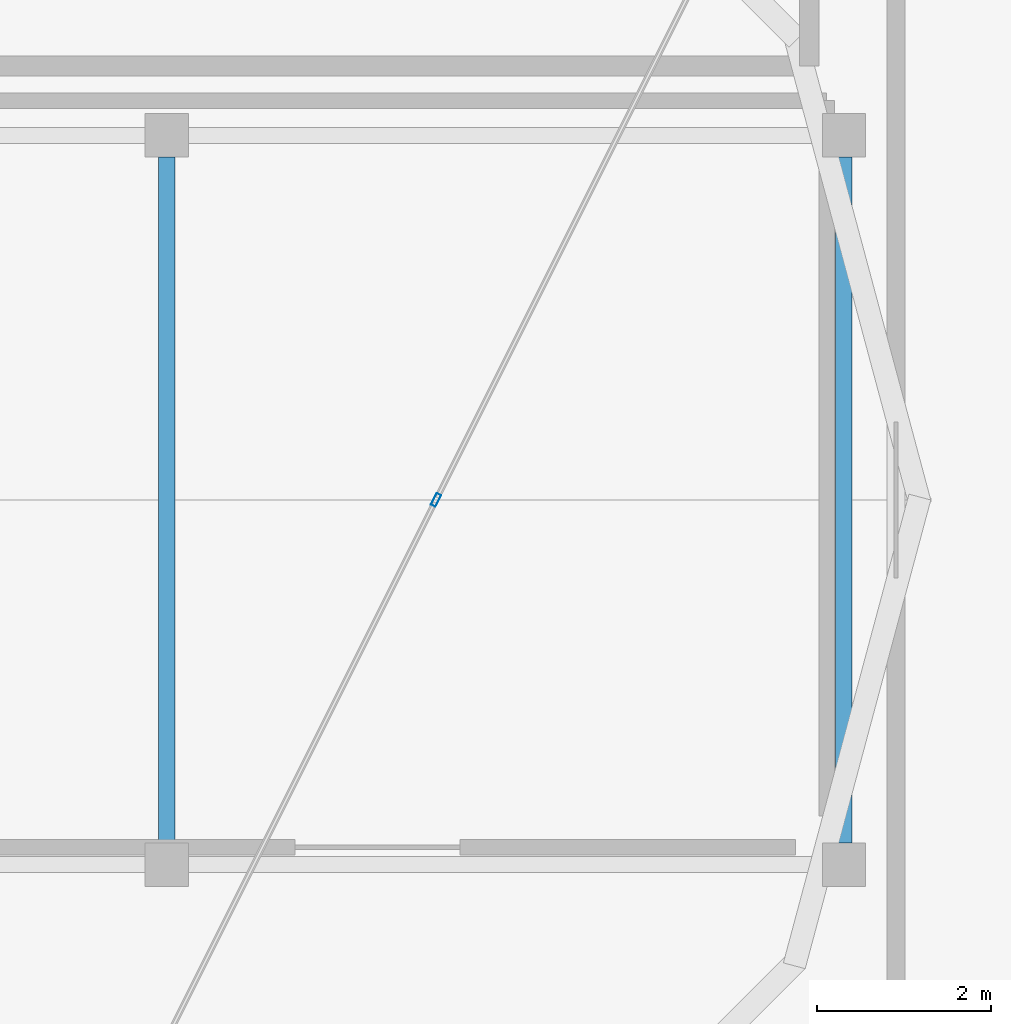
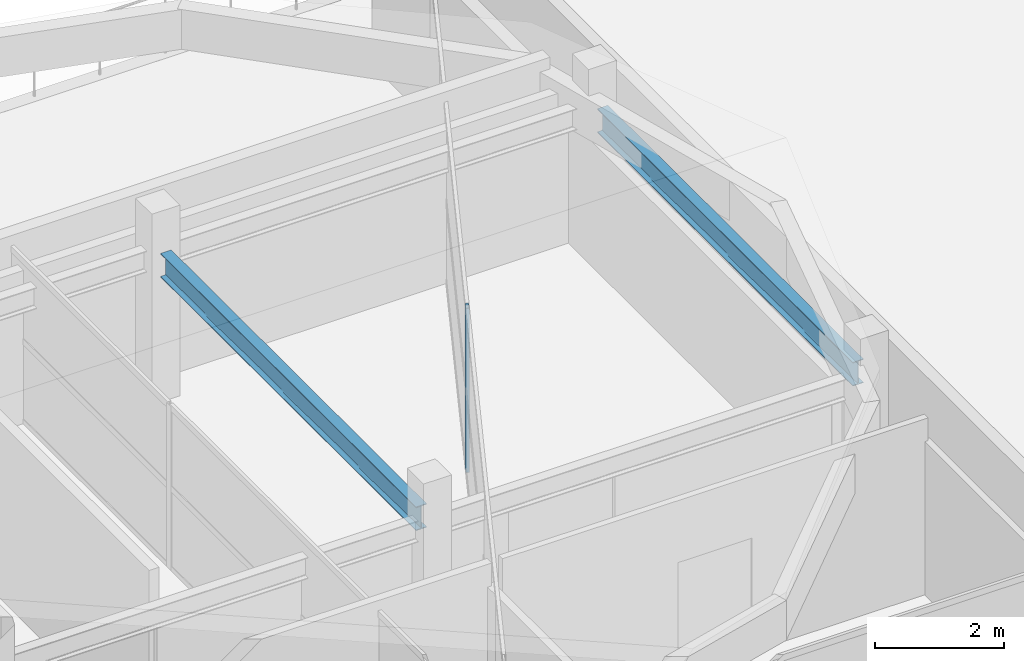
# One storey, part 8 of 15: 2 beams, 1 member, 1 element without a shape of its own.
"""IFC4 building model written with IfcOpenShell, lengths in metres."""

from ifc_helpers import new_model, si_unit, direction, frame, origin, origin_2d, place, context, subcontext, project, spatial, hollow_rectangle, i_section, extrude, material, layer, layer_set, material_profile, profile_set, type_object, element, aggregate, save


model = new_model("IFC4")

# Units and contexts
model_context = context("Model", 3, precision=1e-05, world=origin(), true_north=direction((0.0, 1.0)))
body_context = subcontext(model_context, "Body", "Model", "MODEL_VIEW")
ifc_project = project(units=[si_unit("LENGTHUNIT", "METRE"), si_unit("AREAUNIT", "SQUARE_METRE"), si_unit("VOLUMEUNIT", "CUBIC_METRE"), si_unit("PLANEANGLEUNIT", "RADIAN"), si_unit("MASSUNIT", "GRAM", prefix="KILO")], contexts=[model_context])

# Site, building, storey
site_placement = place(None, origin())
site = spatial("IfcSite", under=ifc_project, at=site_placement, CompositionType="ELEMENT")
building_placement = place(site_placement, origin())
building = spatial("IfcBuilding", under=site, at=building_placement, Name="Zizhar Promenade General Hospital", CompositionType="ELEMENT")
storey_placement = place(building_placement, frame((0.0, 0.0, 43.199951171875)))
storey = spatial("IfcBuildingStorey", under=building, at=storey_placement, Name="Roof", CompositionType="ELEMENT", Elevation=43.199951171875)

# Beams
ifc_material_1 = material(Name="Steel S355", Category="steel")
ifc_material_profile_1 = material_profile(ifc_material_1, i_section(OverallWidth=0.18994140625, OverallDepth=0.449951171875, WebThickness=0.009521484375, FlangeThickness=0.0146484375, FilletRadius=0.02099609375, at=origin_2d()))
ifc_profile_set_1 = profile_set([ifc_material_profile_1], Name="Steel S355")
beam_type = type_object("IfcBeamType", Name="BM-STL-IPE450", PredefinedType="JOIST", material=ifc_profile_set_1)
for number, where, z_axis, x_axis, name in (
    (1, (62.39990234375, 8.64990234375, 2.5849609375), (0.0, 1.0, 0.0), (-1.0, 0.0, 0.0), "Grid Beam Y Roof (8-1)"),
    (2, (70.199951171875, 8.64990234375, 2.5849609375), (0.0, 1.0, 0.0), (-1.0, 0.0, 0.0), "Grid Beam Y Roof (9-1)"),
):
    element("IfcBeam", number, at=place(storey_placement, frame(where, z_axis=z_axis, x_axis=x_axis)), inside=storey, type_object=beam_type, Name=name, PredefinedType="JOIST", context=body_context, shape_type="SweptSolid", body=[
        extrude(i_section(OverallWidth=0.18994140625, OverallDepth=0.449951171875, WebThickness=0.009521484375, FlangeThickness=0.0146484375, FilletRadius=0.02099609375, at=origin_2d()), origin(), (0.0, 0.0, 1.0), 7.900146484375),
    ])

# Curtain wall, member
ifc_material_2 = material(Name="Anodised aluminium 6063-T6 and low-E glass", Category="aluminium")
ifc_layer = layer(ifc_material_2, 0.159912109375)
ifc_layer_set = layer_set([ifc_layer], Name="Anodised aluminium 6063-T6 and low-E glass")
curtain_wall_type = type_object("IfcCurtainWallType", Name="CW-WARD-ARC", PredefinedType="NOTDEFINED", material=ifc_layer_set)
curtain_wall_placement = place(storey_placement, origin())
curtain_wall = element("IfcCurtainWall", 3, at=curtain_wall_placement, inside=storey, type_object=curtain_wall_type, Name="Rooftop Pillow Crown Glazing 02", PredefinedType="NOTDEFINED")
ifc_material_3 = material(Name="Anodised aluminium 6063-T6", Category="aluminium")
ifc_material_profile_2 = material_profile(ifc_material_3, hollow_rectangle(XDim=0.06005859375, YDim=0.14990234375, WallThickness=0.00390625, at=origin_2d()))
ifc_profile_set_2 = profile_set([ifc_material_profile_2], Name="Anodised aluminium 6063-T6")
member_type = type_object("IfcMemberType", Name="CWM-ALU-150x60", PredefinedType="MULLION", material=ifc_profile_set_2)
member_placement = place(storey_placement, frame((65.5, 12.60009765625, 0.0), z_axis=(0.0, 0.0, 1.0), x_axis=(-0.894428901692, 0.447210174098, 0.0)))
member = element("IfcMember", 4, at=member_placement, type_object=member_type, Name="CW-12 mullion 2", PredefinedType="MULLION", context=body_context, shape_type="SweptSolid", body=[
    extrude(hollow_rectangle(XDim=0.06005859375, YDim=0.14990234375, WallThickness=0.00390625, at=origin_2d()), origin(), (0.0, 0.0, 1.0), 3.10009765625),
])
aggregate(curtain_wall, [member])

save(model, "model.ifc")
